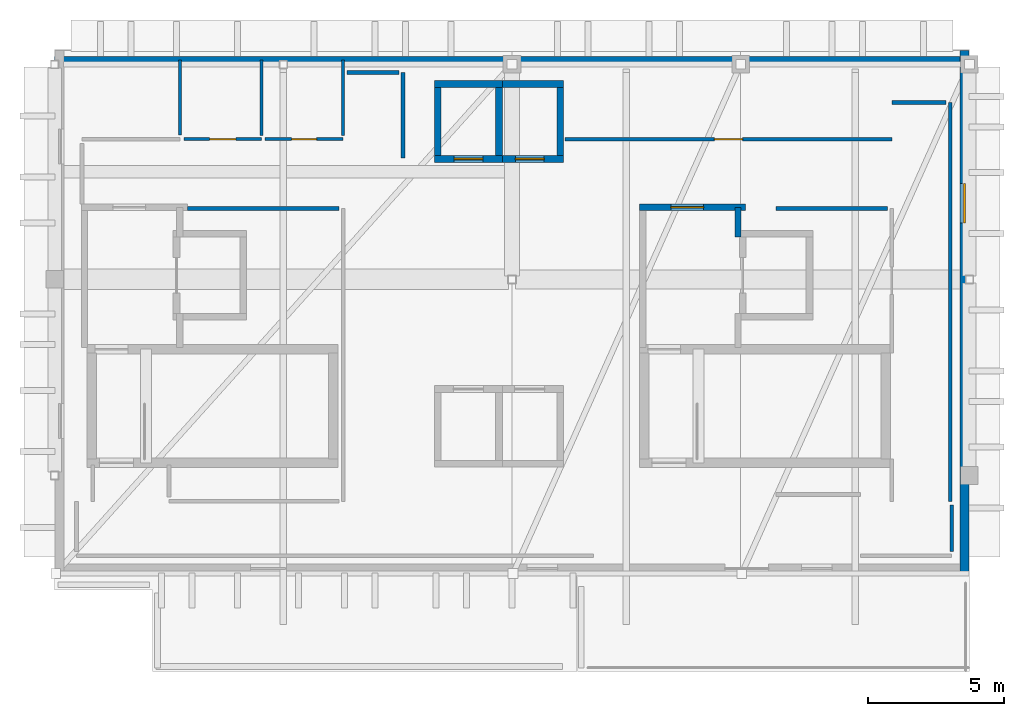
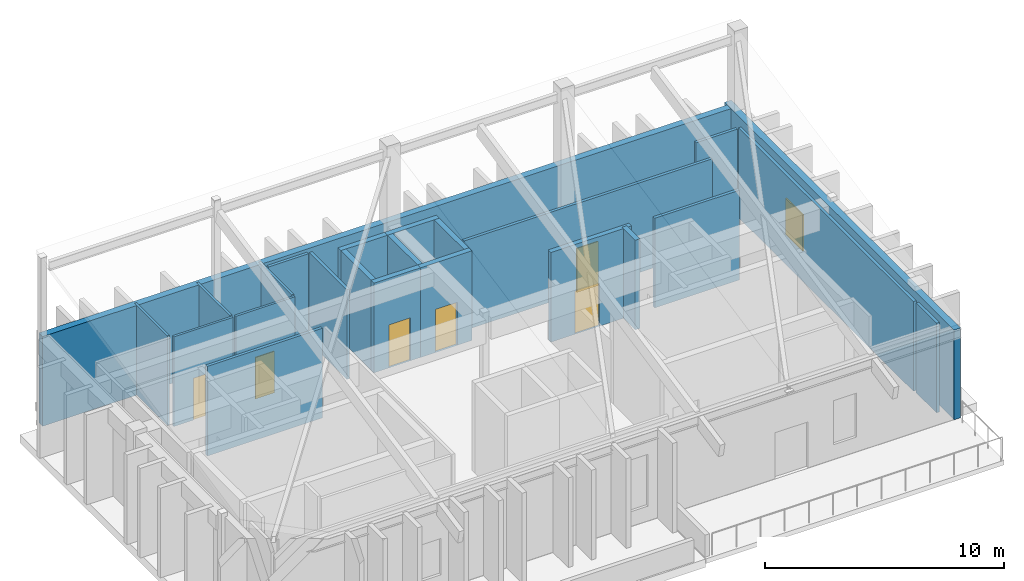
# One storey, part 4 of 5: 24 walls, 6 doors, 1 window, 7 openings.
"""IFC4 building model written with IfcOpenShell, lengths in metres."""

import ifcopenshell
import ifcopenshell.guid

model = None  # the IFC model being written
_history = None  # IfcOwnerHistory: only IFC2X3 demands one
_inside = {}  # id of a spatial element -> (the spatial element, [elements in it])
_under = {}  # id of a project, library or spatial element -> (it, [spatial elements below it])
_declared = {}  # id of a project -> (the project, [libraries it declares])
_typed = {}  # id of a type object -> (the type object, [elements of that type])
_made_of = {}  # id of a material, layer set ... -> (it, [elements and type objects made of it])


def new_model(schema):
    """Start an empty IFC model of exactly this schema.

    Asked for "IFC4X3", IfcOpenShell would pick the latest addendum, in which some entities
    have other attributes; the version numbers below select the first issue.
    IFC2X3 requires an IfcOwnerHistory on every rooted entity: one is made here for all.
    """
    global model, _history
    if schema == "IFC4X3":
        model = ifcopenshell.file(schema_version=(4, 3, 0, 0))
    else:
        model = ifcopenshell.file(schema=schema)
    _inside.clear()
    _under.clear()
    _declared.clear()
    _typed.clear()
    _made_of.clear()
    _history = None
    if model.schema == "IFC2X3":
        org = make("IfcOrganization", Name="unknown")
        user = make(
            "IfcPersonAndOrganization",
            ThePerson=make("IfcPerson", FamilyName="unknown"),
            TheOrganization=org,
        )
        app = make(
            "IfcApplication",
            ApplicationDeveloper=org,
            Version="unknown",
            ApplicationFullName="unknown",
            ApplicationIdentifier="unknown",
        )
        _history = make(
            "IfcOwnerHistory",
            OwningUser=user,
            OwningApplication=app,
            ChangeAction="ADDED",
            CreationDate=0,
        )
    return model


def make(cls, **values):
    """One entity of the class cls with the attributes given. An attribute that is None is left unset."""
    return model.create_entity(
        cls, **{name: value for name, value in values.items() if value is not None}
    )


def rooted(cls, **values):
    """An entity with a GlobalId (a new one), such as an element, a storey or a relation."""
    return make(cls, GlobalId=ifcopenshell.guid.new(), OwnerHistory=_history, **values)


def si_unit(unit_type, name, prefix=None):
    """IfcSIUnit, for example si_unit("LENGTHUNIT", "METRE", prefix="MILLI")."""
    return make("IfcSIUnit", UnitType=unit_type, Prefix=prefix, Name=name)


def assignment(units):
    """IfcUnitAssignment: the units of a project."""
    return None if units is None else make("IfcUnitAssignment", Units=units)


def point(xyz):
    """IfcCartesianPoint."""
    return None if xyz is None else make("IfcCartesianPoint", Coordinates=xyz)


def direction(xyz):
    """IfcDirection."""
    return None if xyz is None else make("IfcDirection", DirectionRatios=xyz)


def frame(location, z_axis=None, x_axis=None):
    """IfcAxis2Placement3D, a coordinate frame: its origin and axes. An axis left out is left unset."""
    return make(
        "IfcAxis2Placement3D",
        Location=point(location),
        Axis=direction(z_axis),
        RefDirection=direction(x_axis),
    )


def frame_2d(location, x_axis=None):
    """IfcAxis2Placement2D, a coordinate frame in the plane: its origin and x axis."""
    return make(
        "IfcAxis2Placement2D", Location=point(location), RefDirection=direction(x_axis)
    )


def origin():
    """The frame at (0, 0, 0) with its axes left unset."""
    return frame((0.0, 0.0, 0.0))


def place(relative_to, where):
    """IfcLocalPlacement: puts the frame where relative to a parent placement (None: the world)."""
    return make(
        "IfcLocalPlacement", PlacementRelTo=relative_to, RelativePlacement=where
    )


def context(
    kind, dimensions, precision=None, world=None, true_north=None, identifier=None
):
    """IfcGeometricRepresentationContext, for example the 3D "Model" context."""
    return make(
        "IfcGeometricRepresentationContext",
        ContextIdentifier=identifier,
        ContextType=kind,
        CoordinateSpaceDimension=dimensions,
        Precision=precision,
        WorldCoordinateSystem=world,
        TrueNorth=true_north,
    )


def subcontext(parent, identifier, kind, view, scale=None):
    """IfcGeometricRepresentationSubContext, for example "Body" below "Model"."""
    return make(
        "IfcGeometricRepresentationSubContext",
        ContextIdentifier=identifier,
        ContextType=kind,
        ParentContext=parent,
        TargetScale=scale,
        TargetView=view,
    )


def project(units=None, contexts=None):
    """IfcProject with its units and contexts."""
    return rooted(
        "IfcProject",
        Name="project",
        RepresentationContexts=contexts,
        UnitsInContext=assignment(units),
    )


def spatial(cls, under=None, at=None, **own):
    """A site, building, storey or space (cls), placed at a placement, below another one or the project."""
    s = rooted(cls, ObjectPlacement=at, **own)
    if under is not None:
        _under.setdefault(under.id(), (under, []))[1].append(s)
    return s


def profile(cls, at=None, kind="AREA", **sizes):
    """A parametric profile (cls). Its sizes go by their IFC names, for example OverallWidth=200.0."""
    return make(cls, ProfileType=kind, Position=at, **sizes)


def rectangle(**sizes):
    """IfcRectangleProfileDef."""
    return profile("IfcRectangleProfileDef", **sizes)


def extrude(swept, where, along, depth):
    """IfcExtrudedAreaSolid: the profile swept, set in the frame where, extruded along a direction by depth."""
    return make(
        "IfcExtrudedAreaSolid",
        SweptArea=swept,
        Position=where,
        ExtrudedDirection=direction(along),
        Depth=depth,
    )


def shape(context_of_items, identifier, shape_type, items):
    """IfcShapeRepresentation: the items that make up one representation, for example the "Body"."""
    return make(
        "IfcShapeRepresentation",
        ContextOfItems=context_of_items,
        RepresentationIdentifier=identifier,
        RepresentationType=shape_type,
        Items=items,
    )


def material(Name=None, Category=None):
    """IfcMaterial."""
    return make("IfcMaterial", Name=Name, Category=Category)


def layer(
    of_material, thickness, ventilated=None, Name=None, Category=None, Priority=None
):
    """IfcMaterialLayer: one layer of a wall or slab, of a material (None: an air gap)."""
    return make(
        "IfcMaterialLayer",
        Material=of_material,
        LayerThickness=thickness,
        IsVentilated=ventilated,
        Name=Name,
        Category=Category,
        Priority=Priority,
    )


def layer_set(layers, Name=None):
    """IfcMaterialLayerSet."""
    return make("IfcMaterialLayerSet", MaterialLayers=layers, LayerSetName=Name)


def made_of(thing, what):
    """Note that an element or type object is made of a material, layer set ...; save() writes the relation."""
    if what is not None:
        _made_of.setdefault(what.id(), (what, []))[1].append(thing)
    return thing


def type_object(cls, material=None, **own):
    """A type object (cls), such as IfcWallType, which elements share."""
    return made_of(rooted(cls, **own), material)


def element(
    cls,
    number,
    at=None,
    inside=None,
    cuts=None,
    type_object=None,
    material=None,
    context=None,
    identifier="Body",
    shape_type=None,
    held_by="IfcProductDefinitionShape",
    body=None,
    shapes=None,
    **own,
):
    """One element of the class cls, such as IfcWall. Its Tag is "e" and its number.

    at: its placement. inside: the storey or other place that contains it. cuts: it is an
    opening in that element (IfcRelVoidsElement). A single representation is given by context,
    identifier, shape_type and body (its items); several are given by shapes. held_by: the class
    of the entity that holds the representations. save() writes the other relations.
    """
    e = rooted(cls, Tag="e%d" % number, ObjectPlacement=at, **own)
    if body is not None:
        shapes = [shape(context, identifier, shape_type, body)]
    if shapes is not None:
        e.Representation = make(held_by, Representations=shapes)
    if inside is not None:
        _inside.setdefault(inside.id(), (inside, []))[1].append(e)
    if cuts is not None:
        rooted(
            "IfcRelVoidsElement", RelatingBuildingElement=cuts, RelatedOpeningElement=e
        )
    if type_object is not None:
        _typed.setdefault(type_object.id(), (type_object, []))[1].append(e)
    return made_of(e, material)


def fill(opening, filler):
    """IfcRelFillsElement: the door or window that sits in an opening."""
    return rooted(
        "IfcRelFillsElement",
        RelatingOpeningElement=opening,
        RelatedBuildingElement=filler,
    )


def aggregate(whole, parts):
    """IfcRelAggregates: a whole, such as a stair, and the parts it consists of."""
    return rooted("IfcRelAggregates", RelatingObject=whole, RelatedObjects=parts)


def save(model, path):
    """Write the relations noted so far, then the file.

    IfcRelAggregates (storeys below a building ...), IfcRelContainedInSpatialStructure (elements
    in a storey), IfcRelDefinesByType, IfcRelAssociatesMaterial and IfcRelDeclares: one each for
    every whole, place, type object, material and project.
    """
    for whole, parts in _under.values():
        aggregate(whole, parts)
    for where, things in _inside.values():
        rooted(
            "IfcRelContainedInSpatialStructure",
            RelatedElements=things,
            RelatingStructure=where,
        )
    for kind, things in _typed.values():
        rooted("IfcRelDefinesByType", RelatedObjects=things, RelatingType=kind)
    for what, things in _made_of.values():
        rooted("IfcRelAssociatesMaterial", RelatedObjects=things, RelatingMaterial=what)
    for by, libraries in _declared.values():
        rooted("IfcRelDeclares", RelatingContext=by, RelatedDefinitions=libraries)
    model.write(path)


model = new_model("IFC4")

# Units and contexts
model_context = context("Model", 3, precision=1e-05, world=origin(), true_north=direction((0.0, 1.0)))
body_context = subcontext(model_context, "Body", "Model", "MODEL_VIEW")
ifc_project = project(units=[si_unit("LENGTHUNIT", "METRE"), si_unit("AREAUNIT", "SQUARE_METRE"), si_unit("VOLUMEUNIT", "CUBIC_METRE"), si_unit("PLANEANGLEUNIT", "RADIAN"), si_unit("MASSUNIT", "GRAM", prefix="KILO")], contexts=[model_context])

# Site, building, storey
site_placement = place(None, origin())
site = spatial("IfcSite", under=ifc_project, at=site_placement, CompositionType="ELEMENT")
building_placement = place(site_placement, origin())
building = spatial("IfcBuilding", under=site, at=building_placement, Name="Quendrovan Civic Courthouse", CompositionType="ELEMENT")
storey_placement = place(building_placement, frame((0.0, 0.0, 44.699951171875)))
storey = spatial("IfcBuildingStorey", under=building, at=storey_placement, Name="L10", CompositionType="ELEMENT", Elevation=44.699951171875)

# Wall
ifc_material_1 = material(Name="Acoustic gypsum stud partition")
ifc_layer_1 = layer(ifc_material_1, 0.139892578125, Name="Acoustic gypsum stud partition")
ifc_layer_set_1 = layer_set([ifc_layer_1], Name="Acoustic gypsum stud partition")
wall_type_1 = type_object("IfcWallType", Name="WL-CHM-140", PredefinedType="PARTITIONING", material=ifc_layer_set_1)
wall_1_placement = place(storey_placement, frame((66.5, 93.85009765625, 0.0), z_axis=(0.0, 0.0, 1.0), x_axis=(0.0, 1.0, 0.0)))
element("IfcWall", 1, at=wall_1_placement, inside=storey, type_object=wall_type_1, Name="L10 Presiding Judges' Chambers Partition 0928", PredefinedType="PARTITIONING", context=body_context, shape_type="SweptSolid", body=[
    extrude(rectangle(XDim=14.64990234375, YDim=0.139892578125, at=frame_2d((7.324951171875, 0.0))), origin(), (0.0, 0.0, 1.0), 4.580078125),
])

# Wall, opening, door
wall_2_placement = place(storey_placement, frame((64.35009765625, 107.14990234375, 0.0), z_axis=(0.0, 0.0, 1.0), x_axis=(-1.0, 0.0, 0.0)))
wall_2 = element("IfcWall", 2, at=wall_2_placement, inside=storey, type_object=wall_type_1, Name="L10 Presiding Judges' Chambers Partition 0929", PredefinedType="PARTITIONING", context=body_context, shape_type="SweptSolid", body=[
    extrude(rectangle(XDim=12.0, YDim=0.139892578125, at=frame_2d((6.0, 0.0))), origin(), (0.0, 0.0, 1.0), 4.580078125),
])
opening_1_placement = place(wall_2_placement, frame((5.47998046875, 0.0, 0.0)))
opening_1 = element("IfcOpeningElement", 3, at=opening_1_placement, cuts=wall_2, Name="Opening D-L10-132", PredefinedType="OPENING", context=body_context, shape_type="SweptSolid", body=[
    extrude(rectangle(XDim=1.0400390625, YDim=2.260009765625, at=frame_2d((0.52001953125, 1.1298828125))), frame((0.0, 0.080078125, 0.0), z_axis=(0.0, -1.0, 0.0), x_axis=(1.0, 0.0, 0.0)), (0.0, 0.0, 1.0), 0.159912109375),
])
ifc_material_2 = material(Name="Solid Western Red Cedar timber door", Category="wood")
door_type_1 = type_object("IfcDoorType", Name="DR-CHM-1040", OperationType="NOTDEFINED", PredefinedType="DOOR", material=ifc_material_2)
door_1_placement = place(opening_1_placement, origin())
door_1 = element("IfcDoor", 4, at=door_1_placement, inside=storey, type_object=door_type_1, Name="L10 Presiding Judges' Chambers Door D-L10-132", OperationType="SINGLE_SWING_LEFT", OverallHeight=2.260009765625, OverallWidth=1.0400390625, PredefinedType="DOOR", context=body_context, shape_type="SweptSolid", body=[
    extrude(rectangle(XDim=1.0400390625, YDim=2.260009765625, at=frame_2d((0.52001953125, 1.1298828125))), frame((0.0, 0.02490234375, 0.0), z_axis=(0.0, -1.0, 0.0), x_axis=(1.0, 0.0, 0.0)), (0.0, 0.0, 1.0), 0.050048828125),
])
fill(opening_1, door_1)

# Walls
wall_3_placement = place(storey_placement, frame((38.47998046875, 104.60009765625, 0.0), z_axis=(0.0, 0.0, 1.0), x_axis=(1.0, 0.0, 0.0)))
element("IfcWall", 5, at=wall_3_placement, inside=storey, type_object=wall_type_1, Name="L10 Presiding Judges' Chambers Partition 0934", PredefinedType="PARTITIONING", context=body_context, shape_type="SweptSolid", body=[
    extrude(rectangle(XDim=5.570068359375, YDim=0.139892578125, at=frame_2d((2.78515625, 0.0))), origin(), (0.0, 0.0, 1.0), 4.580078125),
])
wall_4_placement = place(storey_placement, frame((60.10009765625, 104.60009765625, 0.0), z_axis=(0.0, 0.0, 1.0), x_axis=(1.0, 0.0, 0.0)))
element("IfcWall", 6, at=wall_4_placement, inside=storey, type_object=wall_type_1, Name="L10 Presiding Judicial Chambers Suite Partition 0935", PredefinedType="PARTITIONING", context=body_context, shape_type="SweptSolid", body=[
    extrude(rectangle(XDim=4.099853515625, YDim=0.139892578125, at=frame_2d((2.0498046875, 0.0))), origin(), (0.0, 0.0, 1.0), 4.580078125),
])
wall_5_placement = place(storey_placement, frame((46.39990234375, 106.449951171875, 0.0), z_axis=(0.0, 0.0, 1.0), x_axis=(0.0, 1.0, 0.0)))
element("IfcWall", 7, at=wall_5_placement, inside=storey, type_object=wall_type_1, Name="L10 Presiding Judges' Chambers Partition 0938", PredefinedType="PARTITIONING", context=body_context, shape_type="SweptSolid", body=[
    extrude(rectangle(XDim=3.150146484375, YDim=0.139892578125, at=frame_2d((1.5751953125, 0.0))), origin(), (0.0, 0.0, 1.0), 4.580078125),
])
wall_6_placement = place(storey_placement, frame((46.25, 109.60009765625, 0.0), z_axis=(0.0, 0.0, 1.0), x_axis=(-1.0, 0.0, 0.0)))
element("IfcWall", 8, at=wall_6_placement, inside=storey, type_object=wall_type_1, Name="L10 Presiding Judges' Chambers Partition 0946", PredefinedType="PARTITIONING", context=body_context, shape_type="SweptSolid", body=[
    extrude(rectangle(XDim=1.9150390625, YDim=0.139892578125, at=frame_2d((0.95751953125, 0.0))), origin(), (0.0, 0.0, 1.0), 4.580078125),
])
wall_7_placement = place(storey_placement, frame((66.35009765625, 108.5, 0.0), z_axis=(0.0, 0.0, 1.0), x_axis=(-1.0, 0.0, 0.0)))
element("IfcWall", 9, at=wall_7_placement, inside=storey, type_object=wall_type_1, Name="L10 Presiding Judges' Chambers Partition 0947", PredefinedType="PARTITIONING", context=body_context, shape_type="SweptSolid", body=[
    extrude(rectangle(XDim=2.0, YDim=0.139892578125, at=frame_2d((1.0, 0.0))), origin(), (0.0, 0.0, 1.0), 4.580078125),
])
wall_8_placement = place(storey_placement, frame((66.550048828125, 92.0, 0.0), z_axis=(0.0, 0.0, 1.0), x_axis=(0.0, 1.0, 0.0)))
element("IfcWall", 10, at=wall_8_placement, inside=storey, type_object=wall_type_1, Name="L10 Presiding Judges' Chambers Partition 0948", PredefinedType="PARTITIONING", context=body_context, shape_type="SweptSolid", body=[
    extrude(rectangle(XDim=1.708740234375, YDim=0.139892578125, at=frame_2d((0.8544921875, 0.0))), origin(), (0.0, 0.0, 1.0), 4.580078125),
])
ifc_material_3 = material(Name="Precast concrete C45/55", Category="concrete")
ifc_layer_2 = layer(ifc_material_3, 0.320068359375, Name="Precast concrete C45/55")
ifc_layer_set_2 = layer_set([ifc_layer_2], Name="Precast concrete C45/55")
wall_type_2 = type_object("IfcWallType", Name="WL-EXT-PC320", PredefinedType="SOLIDWALL", material=ifc_layer_set_2)
wall_9_placement = place(storey_placement, frame((33.60009765625, 110.02001953125, 0.0), z_axis=(0.0, 0.0, 1.0), x_axis=(1.0, 0.0, 0.0)))
element("IfcWall", 11, at=wall_9_placement, inside=storey, type_object=wall_type_2, Name="L10 Exterior Precast Concrete Wall 533", PredefinedType="SOLIDWALL", context=body_context, shape_type="SweptSolid", body=[
    extrude(rectangle(XDim=33.599853515625, YDim=0.320068359375, at=frame_2d((16.7998046875, 0.0))), origin(), (0.0, 0.0, 1.0), 4.580078125),
])

# Wall, opening, window
wall_10_placement = place(storey_placement, frame((67.02001953125, 110.39990234375, 0.0), z_axis=(0.0, 0.0, 1.0), x_axis=(0.0, -1.0, 0.0)))
wall_10 = element("IfcWall", 12, at=wall_10_placement, inside=storey, type_object=wall_type_2, Name="L10 Exterior Precast Concrete Wall 534", PredefinedType="SOLIDWALL", context=body_context, shape_type="SweptSolid", body=[
    extrude(rectangle(XDim=19.199951171875, YDim=0.320068359375, at=frame_2d((9.60009765625, 0.0))), origin(), (0.0, 0.0, 1.0), 4.580078125),
])
opening_2_placement = place(wall_10_placement, frame((4.8798828125, 0.0, 0.75)))
opening_2 = element("IfcOpeningElement", 13, at=opening_2_placement, cuts=wall_10, Name="Opening W26", PredefinedType="OPENING", context=body_context, shape_type="SweptSolid", body=[
    extrude(rectangle(XDim=1.43994140625, YDim=1.85009765625, at=frame_2d((0.719970703125, 0.925048828125))), frame((0.0, 0.169921875, 0.0), z_axis=(0.0, -1.0, 0.0), x_axis=(1.0, 0.0, 0.0)), (0.0, 0.0, 1.0), 0.340087890625),
])
ifc_material_4 = material(Name="Laminated hurricane-impact low-E glass", Category="glass")
window_type = type_object("IfcWindowType", Name="WIN-SLT-26", PartitioningType="SINGLE_PANEL", PredefinedType="WINDOW", material=ifc_material_4)
window_placement = place(opening_2_placement, origin())
window = element("IfcWindow", 14, at=window_placement, inside=storey, type_object=window_type, Name="L10 Courtroom Shaded Slot Window 0070", OverallHeight=1.85009765625, OverallWidth=1.43994140625, PartitioningType="SINGLE_PANEL", PredefinedType="WINDOW", context=body_context, shape_type="SweptSolid", body=[
    extrude(rectangle(XDim=1.43994140625, YDim=1.85009765625, at=frame_2d((0.719970703125, 0.925048828125))), frame((0.0, 0.030029296875, 0.0), z_axis=(0.0, -1.0, 0.0), x_axis=(1.0, 0.0, 0.0)), (0.0, 0.0, 1.0), 0.06005859375),
])
fill(opening_2, window)

# Wall, opening, door
ifc_material_5 = material(Name="Concrete C40/50", Category="concrete")
ifc_layer_3 = layer(ifc_material_5, 0.22998046875, Name="Concrete C40/50")
ifc_layer_set_3 = layer_set([ifc_layer_3], Name="Concrete C40/50")
wall_type_3 = type_object("IfcWallType", Name="WL-FFLOB-230", PredefinedType="PARTITIONING", material=ifc_layer_set_3)
wall_11_placement = place(storey_placement, frame((55.090087890625, 104.64990234375, 0.0), z_axis=(0.0, 0.0, 1.0), x_axis=(1.0, 0.0, 0.0)))
wall_11 = element("IfcWall", 15, at=wall_11_placement, inside=storey, type_object=wall_type_3, Name="L10 Firefighting Lift Lobby FL2 Wall N", PredefinedType="PARTITIONING", context=body_context, shape_type="SweptSolid", body=[
    extrude(rectangle(XDim=3.889892578125, YDim=0.22998046875, at=frame_2d((1.94482421875, 0.0))), origin(), (0.0, 0.0, 1.0), 4.580078125),
])
opening_3_placement = place(wall_11_placement, frame((1.14990234375, 0.0, 0.0)))
opening_3 = element("IfcOpeningElement", 16, at=opening_3_placement, cuts=wall_11, Name="Opening DF-FL2-L10N", PredefinedType="OPENING", context=body_context, shape_type="SweptSolid", body=[
    extrude(rectangle(XDim=1.199951171875, YDim=2.199951171875, at=frame_2d((0.60009765625, 1.10009765625))), frame((0.0, 0.125, 0.0), z_axis=(0.0, -1.0, 0.0), x_axis=(1.0, 0.0, 0.0)), (0.0, 0.0, 1.0), 0.25),
])
ifc_material_6 = material(Name="Painted galvanized hollow-metal steel", Category="steel")
door_type_2 = type_object("IfcDoorType", Name="DR-FFLOB-1200", OperationType="NOTDEFINED", PredefinedType="DOOR", material=ifc_material_6)
door_2_placement = place(opening_3_placement, origin())
door_2 = element("IfcDoor", 17, at=door_2_placement, inside=storey, type_object=door_type_2, Name="L10 Firefighting Lobby FL2 Fire Door N", OperationType="SINGLE_SWING_LEFT", OverallHeight=2.199951171875, OverallWidth=1.199951171875, PredefinedType="DOOR", context=body_context, shape_type="SweptSolid", body=[
    extrude(rectangle(XDim=1.199951171875, YDim=2.199951171875, at=frame_2d((0.60009765625, 1.10009765625))), frame((0.0, 0.02490234375, 0.0), z_axis=(0.0, -1.0, 0.0), x_axis=(1.0, 0.0, 0.0)), (0.0, 0.0, 1.0), 0.050048828125),
])
fill(opening_3, door_2)

# Wall
wall_12_placement = place(storey_placement, frame((58.699951171875, 104.64990234375, 0.0), z_axis=(0.0, 0.0, 1.0), x_axis=(0.0, -1.0, 0.0)))
element("IfcWall", 18, at=wall_12_placement, inside=storey, type_object=wall_type_3, Name="L10 Firefighting Lift Lobby FL2 Wall EN", PredefinedType="PARTITIONING", context=body_context, shape_type="SweptSolid", body=[
    extrude(rectangle(XDim=1.099853515625, YDim=0.22998046875, at=frame_2d((0.5498046875, 0.0))), origin(), (0.0, 0.0, 1.0), 4.580078125),
])

# Wall, opening, door
ifc_material_7 = material(Name="Concrete C45/55", Category="concrete")
ifc_layer_4 = layer(ifc_material_7, 0.25, Name="Concrete C45/55")
ifc_layer_set_4 = layer_set([ifc_layer_4], Name="Concrete C45/55")
wall_type_4 = type_object("IfcWallType", Name="WL-SHAFT-250", PredefinedType="SHEAR", material=ifc_layer_set_4)
wall_13_placement = place(storey_placement, frame((47.550048828125, 106.425048828125, 0.0), z_axis=(0.0, 0.0, 1.0), x_axis=(1.0, 0.0, 0.0)))
wall_13 = element("IfcWall", 19, at=wall_13_placement, inside=storey, type_object=wall_type_4, Name="L10 Lift Hoistway Wall JL1 -Y", PredefinedType="SHEAR", context=body_context, shape_type="SweptSolid", body=[
    extrude(rectangle(XDim=2.5, YDim=0.25, at=frame_2d((1.25, 0.0))), origin(), (0.0, 0.0, 1.0), 4.580078125),
])
opening_4_placement = place(wall_13_placement, frame((0.719970703125, 0.0, 0.0)))
opening_4 = element("IfcOpeningElement", 20, at=opening_4_placement, cuts=wall_13, Name="Opening LD-JL1-L10", PredefinedType="OPENING", context=body_context, shape_type="SweptSolid", body=[
    extrude(rectangle(XDim=1.06005859375, YDim=2.199951171875, at=frame_2d((0.530029296875, 1.10009765625))), frame((0.0, 0.135009765625, 0.0), z_axis=(0.0, -1.0, 0.0), x_axis=(1.0, 0.0, 0.0)), (0.0, 0.0, 1.0), 0.27001953125),
])
ifc_material_8 = material(Name="Brushed bronze-anodised stainless steel", Category="steel")
door_type_3 = type_object("IfcDoorType", Name="DR-LIFT-LD-JL", OperationType="NOTDEFINED", PredefinedType="DOOR", material=ifc_material_8)
door_3_placement = place(opening_4_placement, origin())
door_3 = element("IfcDoor", 21, at=door_3_placement, inside=storey, type_object=door_type_3, Name="L10 Lift JL1 Sliding Landing Door", OperationType="SLIDING_TO_LEFT", OverallHeight=2.199951171875, OverallWidth=1.06005859375, PredefinedType="DOOR", context=body_context, shape_type="SweptSolid", body=[
    extrude(rectangle(XDim=1.06005859375, YDim=2.199951171875, at=frame_2d((0.530029296875, 1.10009765625))), frame((0.0, 0.02490234375, 0.0), z_axis=(0.0, -1.0, 0.0), x_axis=(1.0, 0.0, 0.0)), (0.0, 0.0, 1.0), 0.050048828125),
])
fill(opening_4, door_3)

# Walls
for number, where, z_axis, x_axis, name in (
    (22, (50.050048828125, 109.175048828125, 0.0), (0.0, 0.0, 1.0), (-1.0, 0.0, 0.0), "L10 Lift Hoistway Wall JL1 +Y"),
    (23, (47.675048828125, 106.550048828125, 0.0), (0.0, 0.0, 1.0), (0.0, 1.0, 0.0), "L10 Lift Hoistway Wall JL1 -X"),
    (24, (49.925048828125, 109.050048828125, 0.0), (0.0, 0.0, 1.0), (0.0, -1.0, 0.0), "L10 Lift Hoistway Wall JL1 +X"),
):
    element("IfcWall", number, at=place(storey_placement, frame(where, z_axis=z_axis, x_axis=x_axis)), inside=storey, type_object=wall_type_4, Name=name, PredefinedType="SHEAR", context=body_context, shape_type="SweptSolid", body=[
        extrude(rectangle(XDim=2.5, YDim=0.25, at=frame_2d((1.25, 0.0))), origin(), (0.0, 0.0, 1.0), 4.580078125),
    ])

# Wall, opening, door
wall_14_placement = place(storey_placement, frame((49.800048828125, 106.425048828125, 0.0), z_axis=(0.0, 0.0, 1.0), x_axis=(1.0, 0.0, 0.0)))
wall_14 = element("IfcWall", 25, at=wall_14_placement, inside=storey, type_object=wall_type_4, Name="L10 Lift Hoistway Wall JL2 -Y", PredefinedType="SHEAR", context=body_context, shape_type="SweptSolid", body=[
    extrude(rectangle(XDim=2.5, YDim=0.25, at=frame_2d((1.25, 0.0))), origin(), (0.0, 0.0, 1.0), 4.580078125),
])
opening_5_placement = place(wall_14_placement, frame((0.719970703125, 0.0, 0.0)))
opening_5 = element("IfcOpeningElement", 26, at=opening_5_placement, cuts=wall_14, Name="Opening LD-JL2-L10", PredefinedType="OPENING", context=body_context, shape_type="SweptSolid", body=[
    extrude(rectangle(XDim=1.06005859375, YDim=2.199951171875, at=frame_2d((0.530029296875, 1.10009765625))), frame((0.0, 0.135009765625, 0.0), z_axis=(0.0, -1.0, 0.0), x_axis=(1.0, 0.0, 0.0)), (0.0, 0.0, 1.0), 0.27001953125),
])
door_4_placement = place(opening_5_placement, origin())
door_4 = element("IfcDoor", 27, at=door_4_placement, inside=storey, type_object=door_type_3, Name="L10 Lift JL2 Sliding Landing Door", OperationType="SLIDING_TO_LEFT", OverallHeight=2.199951171875, OverallWidth=1.06005859375, PredefinedType="DOOR", context=body_context, shape_type="SweptSolid", body=[
    extrude(rectangle(XDim=1.06005859375, YDim=2.199951171875, at=frame_2d((0.530029296875, 1.10009765625))), frame((0.0, 0.02490234375, 0.0), z_axis=(0.0, -1.0, 0.0), x_axis=(1.0, 0.0, 0.0)), (0.0, 0.0, 1.0), 0.050048828125),
])
fill(opening_5, door_4)

# Walls
for number, where, z_axis, x_axis, name in (
    (28, (52.300048828125, 109.175048828125, 0.0), (0.0, 0.0, 1.0), (-1.0, 0.0, 0.0), "L10 Lift Hoistway Wall JL2 +Y"),
    (29, (52.175048828125, 109.050048828125, 0.0), (0.0, 0.0, 1.0), (0.0, -1.0, 0.0), "L10 Lift Hoistway Wall JL2 +X"),
):
    element("IfcWall", number, at=place(storey_placement, frame(where, z_axis=z_axis, x_axis=x_axis)), inside=storey, type_object=wall_type_4, Name=name, PredefinedType="SHEAR", context=body_context, shape_type="SweptSolid", body=[
        extrude(rectangle(XDim=2.5, YDim=0.25, at=frame_2d((1.25, 0.0))), origin(), (0.0, 0.0, 1.0), 4.580078125),
    ])

# Wall, opening, door
ifc_material_9 = material(Name="Moisture-resistant tile-backer partition")
ifc_layer_5 = layer(ifc_material_9, 0.110107421875, Name="Moisture-resistant tile-backer partition")
ifc_layer_set_5 = layer_set([ifc_layer_5], Name="Moisture-resistant tile-backer partition")
wall_type_5 = type_object("IfcWallType", Name="WL-WET-110", PredefinedType="PARTITIONING", material=ifc_layer_set_5)
wall_15_placement = place(storey_placement, frame((41.199951171875, 107.14990234375, 0.0), z_axis=(0.0, 0.0, 1.0), x_axis=(-1.0, 0.0, 0.0)))
wall_15 = element("IfcWall", 30, at=wall_15_placement, inside=storey, type_object=wall_type_5, Name="L10 L10 Accessible WC Partition 0940", PredefinedType="PARTITIONING", context=body_context, shape_type="SweptSolid", body=[
    extrude(rectangle(XDim=2.849853515625, YDim=0.110107421875, at=frame_2d((1.4248046875, 0.0))), origin(), (0.0, 0.0, 1.0), 4.580078125),
])
opening_6_placement = place(wall_15_placement, frame((0.945068359375, 0.0, 0.0)))
opening_6 = element("IfcOpeningElement", 31, at=opening_6_placement, cuts=wall_15, Name="Opening D-L10-130", PredefinedType="OPENING", context=body_context, shape_type="SweptSolid", body=[
    extrude(rectangle(XDim=0.9599609375, YDim=2.139892578125, at=frame_2d((0.47998046875, 1.06982421875))), frame((0.0, 0.06494140625, 0.0), z_axis=(0.0, -1.0, 0.0), x_axis=(1.0, 0.0, 0.0)), (0.0, 0.0, 1.0), 0.130126953125),
])
ifc_material_10 = material(Name="Moisture-resistant laminate timber door", Category="wood")
door_type_4 = type_object("IfcDoorType", Name="DR-WC-ACC-960", OperationType="NOTDEFINED", PredefinedType="DOOR", material=ifc_material_10)
door_5_placement = place(opening_6_placement, origin())
door_5 = element("IfcDoor", 32, at=door_5_placement, inside=storey, type_object=door_type_4, Name="L10 L10 Accessible WC Door D-L10-130", OperationType="SINGLE_SWING_LEFT", OverallHeight=2.139892578125, OverallWidth=0.9599609375, PredefinedType="DOOR", context=body_context, shape_type="SweptSolid", body=[
    extrude(rectangle(XDim=0.9599609375, YDim=2.139892578125, at=frame_2d((0.47998046875, 1.06982421875))), frame((0.0, 0.02490234375, 0.0), z_axis=(0.0, -1.0, 0.0), x_axis=(1.0, 0.0, 0.0)), (0.0, 0.0, 1.0), 0.050048828125),
])
fill(opening_6, door_5)

wall_16_placement = place(storey_placement, frame((44.199951171875, 107.14990234375, 0.0), z_axis=(0.0, 0.0, 1.0), x_axis=(-1.0, 0.0, 0.0)))
wall_16 = element("IfcWall", 33, at=wall_16_placement, inside=storey, type_object=wall_type_5, Name="L10 L10 Judicial and Public Restroom Partition 0941", PredefinedType="PARTITIONING", context=body_context, shape_type="SweptSolid", body=[
    extrude(rectangle(XDim=2.864990234375, YDim=0.110107421875, at=frame_2d((1.4326171875, 0.0))), origin(), (0.0, 0.0, 1.0), 4.580078125),
])
opening_7_placement = place(wall_16_placement, frame((0.972412109375, 0.0, 0.0)))
opening_7 = element("IfcOpeningElement", 34, at=opening_7_placement, cuts=wall_16, Name="Opening D-L10-131", PredefinedType="OPENING", context=body_context, shape_type="SweptSolid", body=[
    extrude(rectangle(XDim=0.919921875, YDim=2.1201171875, at=frame_2d((0.4599609375, 1.06005859375))), frame((0.0, 0.06494140625, 0.0), z_axis=(0.0, -1.0, 0.0), x_axis=(1.0, 0.0, 0.0)), (0.0, 0.0, 1.0), 0.130126953125),
])
door_type_5 = type_object("IfcDoorType", Name="DR-WC-STD-920", OperationType="NOTDEFINED", PredefinedType="DOOR", material=ifc_material_10)
door_6_placement = place(opening_7_placement, origin())
door_6 = element("IfcDoor", 35, at=door_6_placement, inside=storey, type_object=door_type_5, Name="L10 L10 Judicial and Public Restroom Door D-L10-131", OperationType="SINGLE_SWING_RIGHT", OverallHeight=2.1201171875, OverallWidth=0.919921875, PredefinedType="DOOR", context=body_context, shape_type="SweptSolid", body=[
    extrude(rectangle(XDim=0.919921875, YDim=2.1201171875, at=frame_2d((0.4599609375, 1.06005859375))), frame((0.0, 0.02490234375, 0.0), z_axis=(0.0, -1.0, 0.0), x_axis=(1.0, 0.0, 0.0)), (0.0, 0.0, 1.0), 0.050048828125),
])
fill(opening_7, door_6)

# Walls
wall_17_placement = place(storey_placement, frame((41.199951171875, 110.050048828125, 0.0), z_axis=(0.0, 0.0, 1.0), x_axis=(0.0, -1.0, 0.0)))
element("IfcWall", 36, at=wall_17_placement, inside=storey, type_object=wall_type_5, Name="L10 L10 Accessible WC Partition 0942", PredefinedType="PARTITIONING", context=body_context, shape_type="SweptSolid", body=[
    extrude(rectangle(XDim=2.76513671875, YDim=0.110107421875, at=frame_2d((1.382568359375, 0.0))), origin(), (0.0, 0.0, 1.0), 4.580078125),
])
wall_18_placement = place(storey_placement, frame((38.199951171875, 107.300048828125, 0.0), z_axis=(0.0, 0.0, 1.0), x_axis=(0.0, 1.0, 0.0)))
element("IfcWall", 37, at=wall_18_placement, inside=storey, type_object=wall_type_5, Name="L10 L10 Accessible WC Partition 0943", PredefinedType="PARTITIONING", context=body_context, shape_type="SweptSolid", body=[
    extrude(rectangle(XDim=2.75, YDim=0.110107421875, at=frame_2d((1.375, 0.0))), origin(), (0.0, 0.0, 1.0), 4.580078125),
])
wall_19_placement = place(storey_placement, frame((44.199951171875, 110.050048828125, 0.0), z_axis=(0.0, 0.0, 1.0), x_axis=(0.0, -1.0, 0.0)))
element("IfcWall", 38, at=wall_19_placement, inside=storey, type_object=wall_type_5, Name="L10 L10 Judicial and Public Restroom Partition 0944", PredefinedType="PARTITIONING", context=body_context, shape_type="SweptSolid", body=[
    extrude(rectangle(XDim=2.76513671875, YDim=0.110107421875, at=frame_2d((1.382568359375, 0.0))), origin(), (0.0, 0.0, 1.0), 4.580078125),
])

save(model, "model.ifc")
